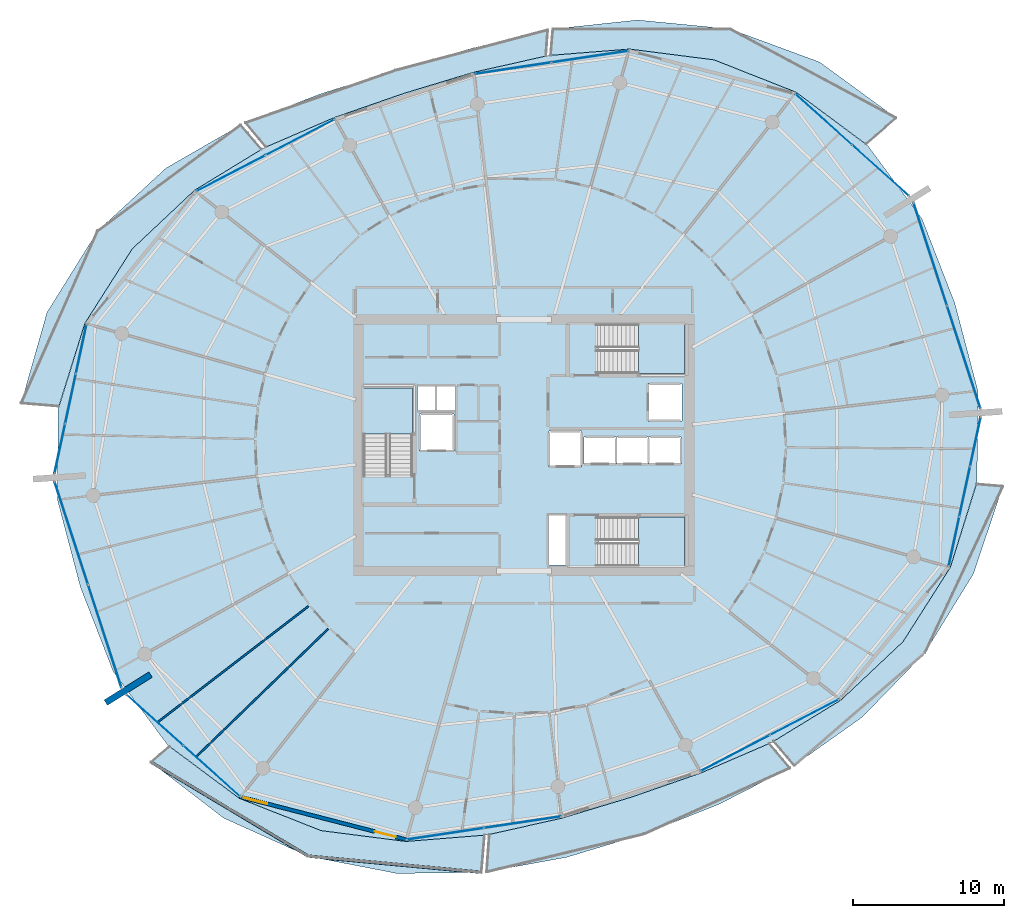
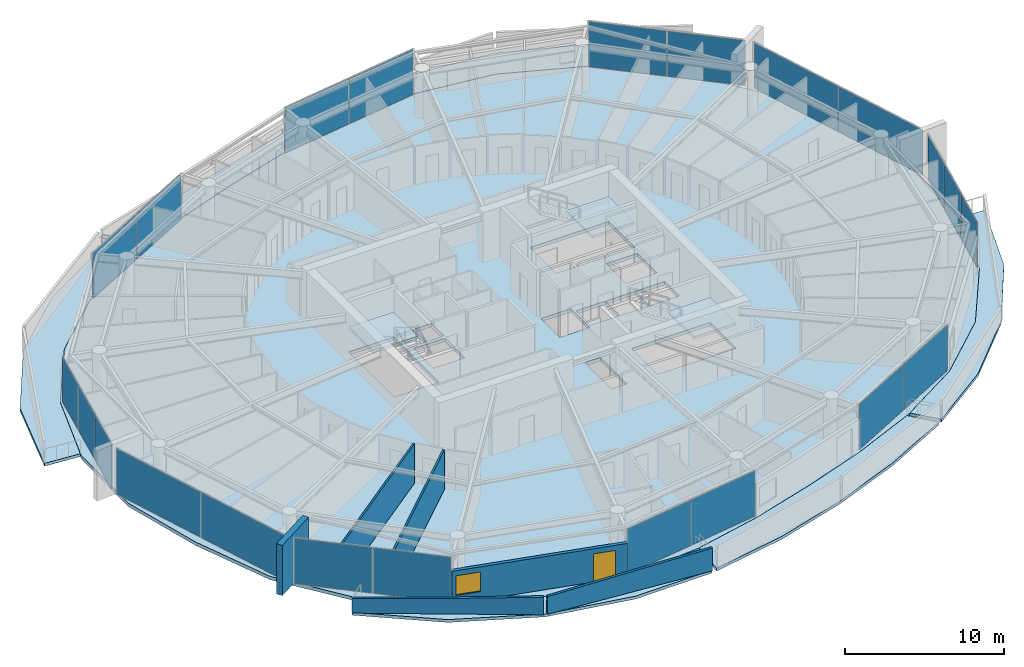
# One storey, part 17 of 30: 22 plates, 10 slabs, 6 walls, 1 door, 1 window, 2 openings, 13 elements without a shape of their own.
"""IFC4 building model written with IfcOpenShell, lengths in metres."""

from ifc_helpers import new_model, si_unit, direction, frame, frame_2d, origin, origin_2d, place, context, subcontext, project, spatial, polyline, rectangle, outline, extrude, material, layer, layer_set, type_object, element, fill, aggregate, save


model = new_model("IFC4")

# Units and contexts
model_context = context("Model", 3, precision=1e-05, world=origin(), true_north=direction((0.0, 1.0)))
body_context = subcontext(model_context, "Body", "Model", "MODEL_VIEW")
ifc_project = project(units=[si_unit("LENGTHUNIT", "METRE"), si_unit("AREAUNIT", "SQUARE_METRE"), si_unit("VOLUMEUNIT", "CUBIC_METRE"), si_unit("PLANEANGLEUNIT", "RADIAN"), si_unit("MASSUNIT", "GRAM", prefix="KILO")], contexts=[model_context])

# Site, building, storey
site_placement = place(None, origin())
site = spatial("IfcSite", under=ifc_project, at=site_placement, CompositionType="ELEMENT")
building_placement = place(site_placement, origin())
building = spatial("IfcBuilding", under=site, at=building_placement, Name="Kazma Halo Residences", CompositionType="ELEMENT")
storey_placement = place(building_placement, frame((0.0, 0.0, 263.64990234375)))
storey = spatial("IfcBuildingStorey", under=building, at=storey_placement, Name="L66", CompositionType="ELEMENT", Elevation=263.64990234375)

# Curtain wall, plates
ifc_material_1 = material(Name="Aluminium AW-6063 T6 and Triple-Silver Low-E Glass", Category="aluminium")
ifc_layer_1 = layer(ifc_material_1, 0.139892578125)
ifc_layer_set_1 = layer_set([ifc_layer_1], Name="Aluminium AW-6063 T6 and Triple-Silver Low-E Glass")
curtain_wall_type = type_object("IfcCurtainWallType", Name="CW-SYS-5", PredefinedType="NOTDEFINED", material=ifc_layer_set_1)
curtain_wall_1_placement = place(storey_placement, origin())
curtain_wall_1 = element("IfcCurtainWall", 1, at=curtain_wall_1_placement, inside=storey, type_object=curtain_wall_type, Name="L66 unitised curtain wall B01", PredefinedType="NOTDEFINED")
ifc_material_2 = material(Name="Clear Triple-Silver Low-E Glass IGU", Category="glass")
ifc_layer_2 = layer(ifc_material_2, 0.02587890625)
ifc_layer_set_2 = layer_set([ifc_layer_2], Name="Clear Triple-Silver Low-E Glass IGU")
plate_type = type_object("IfcPlateType", Name="CW-SYS-5-PNL", PredefinedType="CURTAIN_PANEL", material=ifc_layer_set_2)
plate_1_placement = place(storey_placement, frame((72.002685546875, 60.179443359375, 0.06005859375), z_axis=(0.0, 0.0, 1.0), x_axis=(-0.744336424671, 0.667804826958, 0.0)))
plate_1 = element("IfcPlate", 2, at=plate_1_placement, type_object=plate_type, Name="CWS-5 panel 1.1", PredefinedType="CURTAIN_PANEL", context=body_context, shape_type="SweptSolid", body=[
    extrude(rectangle(XDim=4.993408203125, YDim=0.02587890625, at=origin_2d()), origin(), (0.0, 0.0, 1.0), 3.469970703125),
])
plate_2_placement = place(storey_placement, frame((68.2412109375, 63.55419921875, 0.06005859375), z_axis=(0.0, 0.0, 1.0), x_axis=(-0.744336424671, 0.667804826958, 0.0)))
plate_2 = element("IfcPlate", 3, at=plate_2_placement, type_object=plate_type, Name="CWS-5 panel 2.1", PredefinedType="CURTAIN_PANEL", context=body_context, shape_type="SweptSolid", body=[
    extrude(rectangle(XDim=4.993408203125, YDim=0.02587890625, at=origin_2d()), origin(), (0.0, 0.0, 1.0), 3.469970703125),
])
aggregate(curtain_wall_1, [plate_1, plate_2])

curtain_wall_2_placement = place(storey_placement, origin())
curtain_wall_2 = element("IfcCurtainWall", 4, at=curtain_wall_2_placement, inside=storey, type_object=curtain_wall_type, Name="L66 unitised curtain wall B03", PredefinedType="NOTDEFINED")
plate_3_placement = place(storey_placement, frame((52.77783203125, 67.70361328125, 0.06005859375), z_axis=(0.0, 0.0, 1.0), x_axis=(-0.988882792998, -0.148697080374, 0.0)))
plate_3 = element("IfcPlate", 5, at=plate_3_placement, type_object=plate_type, Name="CWS-5 panel 1.1", PredefinedType="CURTAIN_PANEL", context=body_context, shape_type="SweptSolid", body=[
    extrude(rectangle(XDim=5.099853515625, YDim=0.02587890625, at=origin_2d()), origin(), (0.0, 0.0, 1.0), 3.469970703125),
])
plate_4_placement = place(storey_placement, frame((47.67529296875, 66.936279296875, 0.06005859375), z_axis=(0.0, 0.0, 1.0), x_axis=(-0.988882792998, -0.148697080374, 0.0)))
plate_4 = element("IfcPlate", 6, at=plate_4_placement, type_object=plate_type, Name="CWS-5 panel 2.1", PredefinedType="CURTAIN_PANEL", context=body_context, shape_type="SweptSolid", body=[
    extrude(rectangle(XDim=5.099853515625, YDim=0.02587890625, at=origin_2d()), origin(), (0.0, 0.0, 1.0), 3.469970703125),
])
aggregate(curtain_wall_2, [plate_3, plate_4])

curtain_wall_3_placement = place(storey_placement, origin())
curtain_wall_3 = element("IfcCurtainWall", 7, at=curtain_wall_3_placement, inside=storey, type_object=curtain_wall_type, Name="L66 unitised curtain wall B05", PredefinedType="NOTDEFINED")
plate_5_placement = place(storey_placement, frame((33.60546875, 62.36474609375, 0.06005859375), z_axis=(0.0, 0.0, 1.0), x_axis=(-0.887420518694, -0.460960760804, 0.0)))
plate_5 = element("IfcPlate", 8, at=plate_5_placement, type_object=plate_type, Name="CWS-5 panel 1.1", PredefinedType="CURTAIN_PANEL", context=body_context, shape_type="SweptSolid", body=[
    extrude(rectangle(XDim=5.099609375, YDim=0.02587890625, at=origin_2d()), origin(), (0.0, 0.0, 1.0), 3.469970703125),
])
plate_6_placement = place(storey_placement, frame((29.026611328125, 59.986328125, 0.06005859375), z_axis=(0.0, 0.0, 1.0), x_axis=(-0.887420518694, -0.460960760804, 0.0)))
plate_6 = element("IfcPlate", 9, at=plate_6_placement, type_object=plate_type, Name="CWS-5 panel 2.1", PredefinedType="CURTAIN_PANEL", context=body_context, shape_type="SweptSolid", body=[
    extrude(rectangle(XDim=5.099609375, YDim=0.02587890625, at=origin_2d()), origin(), (0.0, 0.0, 1.0), 3.469970703125),
])
aggregate(curtain_wall_3, [plate_5, plate_6])

curtain_wall_4_placement = place(storey_placement, origin())
curtain_wall_4 = element("IfcCurtainWall", 10, at=curtain_wall_4_placement, inside=storey, type_object=curtain_wall_type, Name="L66 unitised curtain wall B07", PredefinedType="NOTDEFINED")
plate_7_placement = place(storey_placement, frame((19.133056640625, 48.36865234375, 0.06005859375), z_axis=(0.0, 0.0, 1.0), x_axis=(-0.209657382603, -0.97777491373, 0.0)))
plate_7 = element("IfcPlate", 11, at=plate_7_placement, type_object=plate_type, Name="CWS-5 panel 1.1", PredefinedType="CURTAIN_PANEL", context=body_context, shape_type="SweptSolid", body=[
    extrude(rectangle(XDim=3.299072265625, YDim=0.02587890625, at=origin_2d()), origin(), (0.0, 0.0, 1.0), 3.469970703125),
])
plate_8_placement = place(storey_placement, frame((18.42578125, 45.069580078125, 0.06005859375), z_axis=(0.0, 0.0, 1.0), x_axis=(-0.209657382603, -0.97777491373, 0.0)))
plate_8 = element("IfcPlate", 12, at=plate_8_placement, type_object=plate_type, Name="CWS-5 panel 2.1", PredefinedType="CURTAIN_PANEL", context=body_context, shape_type="SweptSolid", body=[
    extrude(rectangle(XDim=3.3291015625, YDim=0.02587890625, at=origin_2d()), origin(), (0.0, 0.0, 1.0), 3.469970703125),
])
plate_9_placement = place(storey_placement, frame((17.71826171875, 41.7705078125, 0.06005859375), z_axis=(0.0, 0.0, 1.0), x_axis=(-0.209657382603, -0.97777491373, 0.0)))
plate_9 = element("IfcPlate", 13, at=plate_9_placement, type_object=plate_type, Name="CWS-5 panel 3.1", PredefinedType="CURTAIN_PANEL", context=body_context, shape_type="SweptSolid", body=[
    extrude(rectangle(XDim=3.299072265625, YDim=0.02587890625, at=origin_2d()), origin(), (0.0, 0.0, 1.0), 3.469970703125),
])
aggregate(curtain_wall_4, [plate_7, plate_8, plate_9])

curtain_wall_5_placement = place(storey_placement, origin())
curtain_wall_5 = element("IfcCurtainWall", 14, at=curtain_wall_5_placement, inside=storey, type_object=curtain_wall_type, Name="L66 unitised curtain wall B08", PredefinedType="NOTDEFINED")
plate_10_placement = place(storey_placement, frame((18.48486328125, 36.1787109375, 0.06005859375), z_axis=(0.0, 0.0, 1.0), x_axis=(0.309010998786, -0.951058464359, 0.0)))
plate_10 = element("IfcPlate", 15, at=plate_10_placement, type_object=plate_type, Name="CWS-5 panel 1.1", PredefinedType="CURTAIN_PANEL", context=body_context, shape_type="SweptSolid", body=[
    extrude(rectangle(XDim=7.108642578125, YDim=0.02587890625, at=origin_2d()), origin(), (0.0, 0.0, 1.0), 3.469970703125),
])
plate_11_placement = place(storey_placement, frame((20.699951171875, 29.36083984375, 0.06005859375), z_axis=(0.0, 0.0, 1.0), x_axis=(0.309010998786, -0.951058464359, 0.0)))
plate_11 = element("IfcPlate", 16, at=plate_11_placement, type_object=plate_type, Name="CWS-5 panel 2.1", PredefinedType="CURTAIN_PANEL", context=body_context, shape_type="SweptSolid", body=[
    extrude(rectangle(XDim=7.108642578125, YDim=0.02587890625, at=origin_2d()), origin(), (0.0, 0.0, 1.0), 3.469970703125),
])
aggregate(curtain_wall_5, [plate_10, plate_11])

curtain_wall_6_placement = place(storey_placement, origin())
curtain_wall_6 = element("IfcCurtainWall", 17, at=curtain_wall_6_placement, inside=storey, type_object=curtain_wall_type, Name="L66 unitised curtain wall B09", PredefinedType="NOTDEFINED")
plate_12_placement = place(storey_placement, frame((23.997314453125, 23.820556640625, 0.06005859375), z_axis=(0.0, 0.0, 1.0), x_axis=(0.744336424671, -0.667804826958, 0.0)))
plate_12 = element("IfcPlate", 18, at=plate_12_placement, type_object=plate_type, Name="CWS-5 panel 1.1", PredefinedType="CURTAIN_PANEL", context=body_context, shape_type="SweptSolid", body=[
    extrude(rectangle(XDim=4.993408203125, YDim=0.02587890625, at=origin_2d()), origin(), (0.0, 0.0, 1.0), 3.469970703125),
])
plate_13_placement = place(storey_placement, frame((27.7587890625, 20.44580078125, 0.06005859375), z_axis=(0.0, 0.0, 1.0), x_axis=(0.744336424671, -0.667804826958, 0.0)))
plate_13 = element("IfcPlate", 19, at=plate_13_placement, type_object=plate_type, Name="CWS-5 panel 2.1", PredefinedType="CURTAIN_PANEL", context=body_context, shape_type="SweptSolid", body=[
    extrude(rectangle(XDim=4.993408203125, YDim=0.02587890625, at=origin_2d()), origin(), (0.0, 0.0, 1.0), 3.469970703125),
])
aggregate(curtain_wall_6, [plate_12, plate_13])

curtain_wall_7_placement = place(storey_placement, origin())
curtain_wall_7 = element("IfcCurtainWall", 20, at=curtain_wall_7_placement, inside=storey, type_object=curtain_wall_type, Name="L66 unitised curtain wall B11", PredefinedType="NOTDEFINED")
plate_14_placement = place(storey_placement, frame((43.22216796875, 16.29638671875, 0.06005859375), z_axis=(0.0, 0.0, 1.0), x_axis=(0.988882792998, 0.148697080374, 0.0)))
plate_14 = element("IfcPlate", 21, at=plate_14_placement, type_object=plate_type, Name="CWS-5 panel 1.1", PredefinedType="CURTAIN_PANEL", context=body_context, shape_type="SweptSolid", body=[
    extrude(rectangle(XDim=5.099853515625, YDim=0.02587890625, at=origin_2d()), origin(), (0.0, 0.0, 1.0), 3.469970703125),
])
plate_15_placement = place(storey_placement, frame((48.32470703125, 17.063720703125, 0.06005859375), z_axis=(0.0, 0.0, 1.0), x_axis=(0.988882792998, 0.148697080374, 0.0)))
plate_15 = element("IfcPlate", 22, at=plate_15_placement, type_object=plate_type, Name="CWS-5 panel 2.1", PredefinedType="CURTAIN_PANEL", context=body_context, shape_type="SweptSolid", body=[
    extrude(rectangle(XDim=5.099853515625, YDim=0.02587890625, at=origin_2d()), origin(), (0.0, 0.0, 1.0), 3.469970703125),
])
aggregate(curtain_wall_7, [plate_14, plate_15])

curtain_wall_8_placement = place(storey_placement, origin())
curtain_wall_8 = element("IfcCurtainWall", 23, at=curtain_wall_8_placement, inside=storey, type_object=curtain_wall_type, Name="L66 unitised curtain wall B13", PredefinedType="NOTDEFINED")
plate_16_placement = place(storey_placement, frame((62.39453125, 21.63525390625, 0.06005859375), z_axis=(0.0, 0.0, 1.0), x_axis=(0.887420518694, 0.460960760804, 0.0)))
plate_16 = element("IfcPlate", 24, at=plate_16_placement, type_object=plate_type, Name="CWS-5 panel 1.1", PredefinedType="CURTAIN_PANEL", context=body_context, shape_type="SweptSolid", body=[
    extrude(rectangle(XDim=5.099609375, YDim=0.02587890625, at=origin_2d()), origin(), (0.0, 0.0, 1.0), 3.469970703125),
])
plate_17_placement = place(storey_placement, frame((66.973388671875, 24.013671875, 0.06005859375), z_axis=(0.0, 0.0, 1.0), x_axis=(0.887420518694, 0.460960760804, 0.0)))
plate_17 = element("IfcPlate", 25, at=plate_17_placement, type_object=plate_type, Name="CWS-5 panel 2.1", PredefinedType="CURTAIN_PANEL", context=body_context, shape_type="SweptSolid", body=[
    extrude(rectangle(XDim=5.099609375, YDim=0.02587890625, at=origin_2d()), origin(), (0.0, 0.0, 1.0), 3.469970703125),
])
aggregate(curtain_wall_8, [plate_16, plate_17])

curtain_wall_9_placement = place(storey_placement, origin())
curtain_wall_9 = element("IfcCurtainWall", 26, at=curtain_wall_9_placement, inside=storey, type_object=curtain_wall_type, Name="L66 unitised curtain wall B15", PredefinedType="NOTDEFINED")
plate_18_placement = place(storey_placement, frame((76.866943359375, 35.63134765625, 0.06005859375), z_axis=(0.0, 0.0, 1.0), x_axis=(0.209657382603, 0.97777491373, 0.0)))
plate_18 = element("IfcPlate", 27, at=plate_18_placement, type_object=plate_type, Name="CWS-5 panel 1.1", PredefinedType="CURTAIN_PANEL", context=body_context, shape_type="SweptSolid", body=[
    extrude(rectangle(XDim=3.299072265625, YDim=0.02587890625, at=origin_2d()), origin(), (0.0, 0.0, 1.0), 3.469970703125),
])
plate_19_placement = place(storey_placement, frame((77.57421875, 38.930419921875, 0.06005859375), z_axis=(0.0, 0.0, 1.0), x_axis=(0.209657382603, 0.97777491373, 0.0)))
plate_19 = element("IfcPlate", 28, at=plate_19_placement, type_object=plate_type, Name="CWS-5 panel 2.1", PredefinedType="CURTAIN_PANEL", context=body_context, shape_type="SweptSolid", body=[
    extrude(rectangle(XDim=3.3291015625, YDim=0.02587890625, at=origin_2d()), origin(), (0.0, 0.0, 1.0), 3.469970703125),
])
plate_20_placement = place(storey_placement, frame((78.28173828125, 42.2294921875, 0.06005859375), z_axis=(0.0, 0.0, 1.0), x_axis=(0.209657382603, 0.97777491373, 0.0)))
plate_20 = element("IfcPlate", 29, at=plate_20_placement, type_object=plate_type, Name="CWS-5 panel 3.1", PredefinedType="CURTAIN_PANEL", context=body_context, shape_type="SweptSolid", body=[
    extrude(rectangle(XDim=3.299072265625, YDim=0.02587890625, at=origin_2d()), origin(), (0.0, 0.0, 1.0), 3.469970703125),
])
aggregate(curtain_wall_9, [plate_18, plate_19, plate_20])

curtain_wall_10_placement = place(storey_placement, origin())
curtain_wall_10 = element("IfcCurtainWall", 30, at=curtain_wall_10_placement, inside=storey, type_object=curtain_wall_type, Name="L66 unitised curtain wall B16", PredefinedType="NOTDEFINED")
plate_21_placement = place(storey_placement, frame((77.51513671875, 47.8212890625, 0.06005859375), z_axis=(0.0, 0.0, 1.0), x_axis=(-0.309010998786, 0.951058464359, 0.0)))
plate_21 = element("IfcPlate", 31, at=plate_21_placement, type_object=plate_type, Name="CWS-5 panel 1.1", PredefinedType="CURTAIN_PANEL", context=body_context, shape_type="SweptSolid", body=[
    extrude(rectangle(XDim=7.108642578125, YDim=0.02587890625, at=origin_2d()), origin(), (0.0, 0.0, 1.0), 3.469970703125),
])
plate_22_placement = place(storey_placement, frame((75.300048828125, 54.63916015625, 0.06005859375), z_axis=(0.0, 0.0, 1.0), x_axis=(-0.309010998786, 0.951058464359, 0.0)))
plate_22 = element("IfcPlate", 32, at=plate_22_placement, type_object=plate_type, Name="CWS-5 panel 2.1", PredefinedType="CURTAIN_PANEL", context=body_context, shape_type="SweptSolid", body=[
    extrude(rectangle(XDim=7.108642578125, YDim=0.02587890625, at=origin_2d()), origin(), (0.0, 0.0, 1.0), 3.469970703125),
])
aggregate(curtain_wall_10, [plate_21, plate_22])

# Slabs
ifc_material_3 = material(Name="White Concrete C50/60", Category="concrete")
ifc_layer_3 = layer(ifc_material_3, 0.219970703125)
ifc_layer_set_3 = layer_set([ifc_layer_3], Name="White Concrete C50/60")
slab_type_1 = type_object("IfcSlabType", Name="SLB-BAL-WAVE-210", PredefinedType="FLOOR", material=ifc_layer_set_3)
slab_1_placement = place(storey_placement, frame((0.0, 0.0, -0.219970703125)))
element("IfcSlab", 33, at=slab_1_placement, inside=storey, type_object=slab_type_1, Name="L66 NE cantilevered wave balcony slab", PredefinedType="FLOOR", context=body_context, shape_type="SweptSolid", body=[
    extrude(outline(polyline([(71.0400390625, 61.9228515625), (66.41357421875, 65.357421875), (60.990478515625, 67.49560546875), (55.3916015625, 68.208984375), (50.188720703125, 67.794189453125), (50.336669921875, 69.537353515625), (55.93359375, 70.130615234375), (62.033447265625, 69.5419921875), (67.97998046875, 67.344482421875), (73.03759765625, 63.650146484375), (71.0400390625, 61.9228515625)])), origin(), (0.0, 0.0, 1.0), 0.219970703125),
])
slab_2_placement = place(storey_placement, frame((0.0, 0.0, -0.219970703125)))
element("IfcSlab", 34, at=slab_2_placement, inside=storey, type_object=slab_type_1, Name="L66 NNW cantilevered wave balcony slab", PredefinedType="FLOOR", context=body_context, shape_type="SweptSolid", body=[
    extrude(outline(polyline([(49.8681640625, 67.74609375), (45.080078125, 66.66943359375), (40.43994140625, 65.267333984375), (35.86181640625, 63.67431640625), (31.35546875, 61.731201171875), (30.004150390625, 63.3330078125), (34.977783203125, 65.252685546875), (39.940185546875, 66.805908203125), (44.8935546875, 68.24658203125), (49.993408203125, 69.47265625), (49.8681640625, 67.74609375)])), origin(), (0.0, 0.0, 1.0), 0.219970703125),
])
slab_3_placement = place(storey_placement, frame((0.0, 0.0, -0.219970703125)))
element("IfcSlab", 35, at=slab_3_placement, inside=storey, type_object=slab_type_1, Name="L66 NW cantilevered wave balcony slab", PredefinedType="FLOOR", context=body_context, shape_type="SweptSolid", body=[
    extrude(outline(polyline([(31.06787109375, 61.58154296875), (26.614501953125, 58.85888671875), (22.50439453125, 54.990478515625), (19.3740234375, 50.0732421875), (17.64990234375, 44.5751953125), (15.16357421875, 44.7861328125), (16.864013671875, 50.78125), (20.20703125, 56.1611328125), (24.740234375, 60.336669921875), (29.681396484375, 63.184814453125), (31.06787109375, 61.58154296875)])), origin(), (0.0, 0.0, 1.0), 0.219970703125),
])
slab_4_placement = place(storey_placement, frame((0.0, 0.0, -0.219970703125)))
element("IfcSlab", 36, at=slab_4_placement, inside=storey, type_object=slab_type_1, Name="L66 SW cantilevered wave balcony slab", PredefinedType="FLOOR", context=body_context, shape_type="SweptSolid", body=[
    extrude(outline(polyline([(24.9599609375, 22.0771484375), (29.58642578125, 18.642578125), (35.009521484375, 16.50439453125), (40.6083984375, 15.791015625), (45.811279296875, 16.205810546875), (45.602294921875, 13.743408203125), (40.01123046875, 13.674072265625), (34.147216796875, 14.8125), (28.555419921875, 17.33447265625), (23.748779296875, 21.030029296875), (24.9599609375, 22.0771484375)])), origin(), (0.0, 0.0, 1.0), 0.219970703125),
])
slab_5_placement = place(storey_placement, frame((0.0, 0.0, -0.219970703125)))
element("IfcSlab", 37, at=slab_5_placement, inside=storey, type_object=slab_type_1, Name="L66 SSE cantilevered wave balcony slab", PredefinedType="FLOOR", context=body_context, shape_type="SweptSolid", body=[
    extrude(outline(polyline([(46.1318359375, 16.25390625), (50.919921875, 17.33056640625), (55.56005859375, 18.732666015625), (60.13818359375, 20.32568359375), (64.64453125, 22.268798828125), (66.00830078125, 20.65234375), (61.304443359375, 18.2431640625), (56.356689453125, 16.280517578125), (51.226318359375, 14.740478515625), (45.952392578125, 13.780517578125), (46.1318359375, 16.25390625)])), origin(), (0.0, 0.0, 1.0), 0.219970703125),
])
slab_6_placement = place(storey_placement, frame((0.0, 0.0, -0.219970703125)))
element("IfcSlab", 38, at=slab_6_placement, inside=storey, type_object=slab_type_1, Name="L66 SE cantilevered wave balcony slab", PredefinedType="FLOOR", context=body_context, shape_type="SweptSolid", body=[
    extrude(outline(polyline([(64.93212890625, 22.41845703125), (69.385498046875, 25.14111328125), (73.49560546875, 29.009521484375), (76.6259765625, 33.9267578125), (78.35009765625, 39.4248046875), (80.09033203125, 39.277099609375), (78.154296875, 33.49560546875), (74.936767578125, 28.27490234375), (70.80615234375, 24.021240234375), (66.30615234375, 20.82958984375), (64.93212890625, 22.41845703125)])), origin(), (0.0, 0.0, 1.0), 0.219970703125),
])
ifc_material_4 = material(Name="Concrete C50/60", Category="concrete")
ifc_layer_4 = layer(ifc_material_4, 0.260009765625)
ifc_layer_set_4 = layer_set([ifc_layer_4], Name="Concrete C50/60")
slab_type_2 = type_object("IfcSlabType", Name="SLB-RES-260", PredefinedType="FLOOR", material=ifc_layer_set_4)
slab_7_placement = place(storey_placement, frame((0.0, 0.0, -0.260009765625)))
element("IfcSlab", 39, at=slab_7_placement, inside=storey, type_object=slab_type_2, Name="L66 structural floor slab", PredefinedType="FLOOR", context=body_context, shape_type="SweptSolid", body=[
    extrude(outline(polyline([(76.9189453125, 51.396240234375), (74.749755859375, 56.980712890625), (71.180419921875, 61.7978515625), (66.412109375, 65.355712890625), (60.98974609375, 67.49365234375), (55.39111328125, 68.207275390625), (50.02880859375, 67.7783203125), (45.080322265625, 66.66748046875), (40.440673828125, 65.265380859375), (35.86279296875, 63.672607421875), (31.20654296875, 61.66259765625), (26.6162109375, 58.857666015625), (22.50634765625, 54.98974609375), (19.3759765625, 50.07275390625), (17.60986328125, 44.391845703125), (17.5537109375, 38.396484375), (19.0810546875, 32.603759765625), (21.250244140625, 27.019287109375), (24.819580078125, 22.2021484375), (29.587890625, 18.644287109375), (35.01025390625, 16.50634765625), (40.60888671875, 15.792724609375), (45.97119140625, 16.2216796875), (50.919677734375, 17.33251953125), (55.559326171875, 18.734619140625), (60.13720703125, 20.327392578125), (64.79345703125, 22.33740234375), (69.3837890625, 25.142333984375), (73.49365234375, 29.01025390625), (76.6240234375, 33.92724609375), (78.39013671875, 39.608154296875), (78.4462890625, 45.603515625), (76.9189453125, 51.396240234375)]), holes=[polyline([(37.800048828125, 40.110107421875), (41.050048828125, 40.110107421875), (41.050048828125, 45.800048828125), (37.800048828125, 45.800048828125), (37.800048828125, 40.110107421875)]), polyline([(53.360107421875, 46.75), (59.050048828125, 46.75), (59.050048828125, 50.0), (53.360107421875, 50.0), (53.360107421875, 46.75)]), polyline([(53.360107421875, 34.0), (59.050048828125, 34.0), (59.050048828125, 37.25), (53.360107421875, 37.25), (53.360107421875, 34.0)]), polyline([(41.52001953125, 41.6201171875), (43.780029296875, 41.6201171875), (43.780029296875, 44.080078125), (41.52001953125, 44.080078125), (41.52001953125, 41.6201171875)]), polyline([(56.6201171875, 43.6201171875), (58.8798828125, 43.6201171875), (58.8798828125, 46.080078125), (56.6201171875, 46.080078125), (56.6201171875, 43.6201171875)]), polyline([(52.39501953125, 40.7451171875), (54.5048828125, 40.7451171875), (54.5048828125, 42.554931640625), (52.39501953125, 42.554931640625), (52.39501953125, 40.7451171875)]), polyline([(54.544921875, 40.7451171875), (56.655029296875, 40.7451171875), (56.655029296875, 42.554931640625), (54.544921875, 42.554931640625), (54.544921875, 40.7451171875)]), polyline([(56.695068359375, 40.7451171875), (58.804931640625, 40.7451171875), (58.804931640625, 42.554931640625), (56.695068359375, 42.554931640625), (56.695068359375, 40.7451171875)]), polyline([(50.070068359375, 40.570068359375), (52.22998046875, 40.570068359375), (52.22998046875, 42.929931640625), (50.070068359375, 42.929931640625), (50.070068359375, 40.570068359375)]), polyline([(41.360107421875, 44.340087890625), (42.5400390625, 44.340087890625), (42.5400390625, 45.89990234375), (41.360107421875, 45.89990234375), (41.360107421875, 44.340087890625)]), polyline([(42.659912109375, 44.340087890625), (43.840087890625, 44.340087890625), (43.840087890625, 45.89990234375), (42.659912109375, 45.89990234375), (42.659912109375, 44.340087890625)]), polyline([(50.06005859375, 34.080078125), (51.159912109375, 34.080078125), (51.159912109375, 37.3798828125), (50.06005859375, 37.3798828125), (50.06005859375, 34.080078125)])]), origin(), (0.0, 0.0, 1.0), 0.260009765625),
])

# Stair, slab
stair_type = type_object("IfcStairType", Name="STR-RES2", PredefinedType="HALF_TURN_STAIR", material=ifc_material_4)
stair_1_placement = place(storey_placement, origin())
stair_1 = element("IfcStair", 40, at=stair_1_placement, inside=storey, type_object=stair_type, Name="L66 Core exit stair ST-01", PredefinedType="HALF_TURN_STAIR")
ifc_layer_5 = layer(ifc_material_4, 0.199951171875)
ifc_layer_set_5 = layer_set([ifc_layer_5], Name="Concrete C50/60")
slab_type_3 = type_object("IfcSlabType", Name="SLB-STAIR-LND-200", PredefinedType="LANDING", material=ifc_layer_set_5)
slab_8_placement = place(storey_placement, frame((0.0, 0.0, 1.72509765625)))
slab_8 = element("IfcSlab", 41, at=slab_8_placement, type_object=slab_type_3, Name="ST-01 landing 1", PredefinedType="LANDING", context=body_context, shape_type="SweptSolid", body=[
    extrude(outline(polyline([(41.050048828125, 42.75), (41.050048828125, 45.800048828125), (37.800048828125, 45.800048828125), (37.800048828125, 42.75), (41.050048828125, 42.75)])), origin(), (0.0, 0.0, 1.0), 0.199951171875),
])
aggregate(stair_1, [slab_8])

stair_2_placement = place(storey_placement, origin())
stair_2 = element("IfcStair", 42, at=stair_2_placement, inside=storey, type_object=stair_type, Name="L66 Core exit stair ST-02", PredefinedType="HALF_TURN_STAIR")
slab_9_placement = place(storey_placement, frame((0.0, 0.0, 1.72509765625)))
slab_9 = element("IfcSlab", 43, at=slab_9_placement, type_object=slab_type_3, Name="ST-02 landing 1", PredefinedType="LANDING", context=body_context, shape_type="SweptSolid", body=[
    extrude(outline(polyline([(56.0, 46.75), (59.050048828125, 46.75), (59.050048828125, 50.0), (56.0, 50.0), (56.0, 46.75)])), origin(), (0.0, 0.0, 1.0), 0.199951171875),
])
aggregate(stair_2, [slab_9])

stair_3_placement = place(storey_placement, origin())
stair_3 = element("IfcStair", 44, at=stair_3_placement, inside=storey, type_object=stair_type, Name="L66 Core exit stair ST-03", PredefinedType="HALF_TURN_STAIR")
slab_10_placement = place(storey_placement, frame((0.0, 0.0, 1.72509765625)))
slab_10 = element("IfcSlab", 45, at=slab_10_placement, type_object=slab_type_3, Name="ST-03 landing 1", PredefinedType="LANDING", context=body_context, shape_type="SweptSolid", body=[
    extrude(outline(polyline([(56.0, 34.0), (59.050048828125, 34.0), (59.050048828125, 37.25), (56.0, 37.25), (56.0, 34.0)])), origin(), (0.0, 0.0, 1.0), 0.199951171875),
])
aggregate(stair_3, [slab_10])

# Walls
ifc_material_5 = material(Name="White Concrete C50/60 Balustrade", Category="concrete")
ifc_layer_6 = layer(ifc_material_5, 0.179931640625)
ifc_layer_set_6 = layer_set([ifc_layer_6], Name="White Concrete C50/60 Balustrade")
wall_type_1 = type_object("IfcWallType", Name="WL-BAL-WAVE-180", PredefinedType="PARAPET", material=ifc_layer_set_6)
wall_1_placement = place(storey_placement, frame((23.748779296875, 21.030029296875, 0.0), z_axis=(0.0, 0.0, 1.0), x_axis=(0.858273121585, -0.513193188541, 0.0)))
element("IfcWall", 46, at=wall_1_placement, inside=storey, type_object=wall_type_1, Name="L66 white wave balustrade wall SW.1", PredefinedType="PARAPET", context=body_context, shape_type="SweptSolid", body=[
    extrude(outline(polyline([(0.0, 0.0), (11.99560546875, 0.0), (11.995361328125, 1.34814453125), (5.997802734375, 1.18212890625), (0.0, 1.1201171875), (0.0, 0.0)])), frame((0.0, 0.08984375, 0.0), z_axis=(0.0, -1.0, 0.0), x_axis=(1.0, 0.0, 0.0)), (0.0, 0.0, 1.0), 0.179931640625),
])
wall_2_placement = place(storey_placement, frame((34.266845703125, 14.80126953125, 0.0), z_axis=(0.0, 0.0, 1.0), x_axis=(0.995673621648, -0.092919530532, 0.0)))
element("IfcWall", 47, at=wall_2_placement, inside=storey, type_object=wall_type_1, Name="L66 white wave balustrade wall SW.2", PredefinedType="PARAPET", context=body_context, shape_type="SweptSolid", body=[
    extrude(outline(polyline([(0.0, 0.0), (11.384765625, 0.0), (11.384765625, 1.7470703125), (5.6923828125, 1.56201171875), (0.0, 1.34814453125), (0.0, 0.0)])), frame((0.0, 0.08984375, 0.0), z_axis=(0.0, -1.0, 0.0), x_axis=(1.0, 0.0, 0.0)), (0.0, 0.0, 1.0), 0.179931640625),
])
ifc_material_6 = material(Name="Pale Concrete C60/75", Category="concrete")
ifc_layer_7 = layer(ifc_material_6, 0.419921875)
ifc_layer_set_7 = layer_set([ifc_layer_7], Name="Pale Concrete C60/75")
wall_type_2 = type_object("IfcWallType", Name="WL-BLADE-420", PredefinedType="SOLIDWALL", material=ifc_layer_set_7)
wall_3_placement = place(storey_placement, frame((23.718505859375, 26.827392578125, 0.0), z_axis=(0.0, 0.0, 1.0), x_axis=(-0.848033572426, -0.529942506352, 0.0)))
element("IfcWall", 48, at=wall_3_placement, inside=storey, type_object=wall_type_2, Name="L66 pale concrete structural blade fin wall BW-03", PredefinedType="SOLIDWALL", context=body_context, shape_type="SweptSolid", body=[
    extrude(rectangle(XDim=3.5, YDim=0.419921875, at=frame_2d((1.75, 0.0))), origin(), (0.0, 0.0, 1.0), 3.85009765625),
])

# Wall, openings, door, window
ifc_material_7 = material(Name="Insulated Pale-Metal Composite Wall")
ifc_layer_8 = layer(ifc_material_7, 0.239990234375)
ifc_layer_set_8 = layer_set([ifc_layer_8], Name="Insulated Pale-Metal Composite Wall")
wall_type_3 = type_object("IfcWallType", Name="WL-EXT-HOST-240", PredefinedType="SOLIDWALL", material=ifc_layer_set_8)
wall_4_placement = place(storey_placement, frame((29.613525390625, 18.7509765625, 0.0), z_axis=(0.0, 0.0, 1.0), x_axis=(0.968343758421, -0.249620442927, 0.0)))
wall_4 = element("IfcWall", 49, at=wall_4_placement, inside=storey, type_object=wall_type_3, Name="L66 exterior terrace-access wall B10", PredefinedType="SOLIDWALL", context=body_context, shape_type="SweptSolid", body=[
    extrude(rectangle(XDim=11.438232421875, YDim=0.239990234375, at=frame_2d((5.71923828125, 0.0))), origin(), (0.0, 0.0, 1.0), 2.5400390625),
])
opening_1_placement = place(wall_4_placement, frame((9.21826171875, 0.0, 0.0)))
opening_1 = element("IfcOpeningElement", 50, at=opening_1_placement, cuts=wall_4, Name="Opening DTR-1600", PredefinedType="OPENING", context=body_context, shape_type="SweptSolid", body=[
    extrude(rectangle(XDim=1.449951171875, YDim=2.14990234375, at=frame_2d((0.72509765625, 1.074951171875))), frame((0.0, 0.1298828125, 0.0), z_axis=(0.0, -1.0, 0.0), x_axis=(1.0, 0.0, 0.0)), (0.0, 0.0, 1.0), 0.260009765625),
])
opening_2_placement = place(wall_4_placement, frame((0.280029296875, 0.0, 0.64990234375)))
opening_2 = element("IfcOpeningElement", 51, at=opening_2_placement, cuts=wall_4, Name="Opening W-1800", PredefinedType="OPENING", context=body_context, shape_type="SweptSolid", body=[
    extrude(rectangle(XDim=1.60009765625, YDim=1.5, at=frame_2d((0.800048828125, 0.75))), frame((0.0, 0.1298828125, 0.0), z_axis=(0.0, -1.0, 0.0), x_axis=(1.0, 0.0, 0.0)), (0.0, 0.0, 1.0), 0.260009765625),
])
ifc_material_8 = material(Name="Aluminium AW-6063 T6 Double-Glazed Terrace Door", Category="aluminium")
door_type = type_object("IfcDoorType", Name="DR-EXT-TERR-1600", OperationType="NOTDEFINED", PredefinedType="DOOR", material=ifc_material_8)
door_placement = place(opening_1_placement, origin())
door = element("IfcDoor", 52, at=door_placement, inside=storey, type_object=door_type, Name="L66 B10 balcony terrace door", OperationType="DOUBLE_DOOR_SLIDING", OverallHeight=2.14990234375, OverallWidth=1.449951171875, PredefinedType="DOOR", context=body_context, shape_type="SweptSolid", body=[
    extrude(rectangle(XDim=1.449951171875, YDim=2.14990234375, at=frame_2d((0.72509765625, 1.074951171875))), frame((0.0, 0.02490234375, 0.0), z_axis=(0.0, -1.0, 0.0), x_axis=(1.0, 0.0, 0.0)), (0.0, 0.0, 1.0), 0.050048828125),
])
fill(opening_1, door)
ifc_material_9 = material(Name="Clear Triple-Silver Low-E Glass in Aluminium AW-6063 T6 Frame", Category="aluminium")
window_type = type_object("IfcWindowType", Name="WIN-RES-1800", PartitioningType="DOUBLE_PANEL_VERTICAL", PredefinedType="WINDOW", material=ifc_material_9)
window_placement = place(opening_2_placement, origin())
window = element("IfcWindow", 53, at=window_placement, inside=storey, type_object=window_type, Name="L66 B10 apartment window", OverallHeight=1.5, OverallWidth=1.60009765625, PartitioningType="SINGLE_PANEL", PredefinedType="WINDOW", context=body_context, shape_type="SweptSolid", body=[
    extrude(rectangle(XDim=1.60009765625, YDim=1.5, at=frame_2d((0.800048828125, 0.75))), frame((0.0, 0.030029296875, 0.0), z_axis=(0.0, -1.0, 0.0), x_axis=(1.0, 0.0, 0.0)), (0.0, 0.0, 1.0), 0.06005859375),
])
fill(opening_2, window)

# Walls
ifc_material_10 = material(Name="Gypsum Plasterboard Partition")
ifc_layer_9 = layer(ifc_material_10, 0.125)
ifc_layer_set_9 = layer_set([ifc_layer_9], Name="Gypsum Plasterboard Partition")
wall_type_4 = type_object("IfcWallType", Name="WL-PART-125", PredefinedType="PARTITIONING", material=ifc_layer_set_9)
wall_5_placement = place(storey_placement, frame((34.166748046875, 31.3564453125, 0.0), z_axis=(0.0, 0.0, 1.0), x_axis=(-0.792566304603, -0.609785743362, 0.0)))
element("IfcWall", 54, at=wall_5_placement, inside=storey, type_object=wall_type_4, Name="L66 Apartment 1 bay wall 1 8", PredefinedType="PARTITIONING", context=body_context, shape_type="SweptSolid", body=[
    extrude(rectangle(XDim=12.587646484375, YDim=0.125, at=frame_2d((6.2939453125, 0.0))), origin(), (0.0, 0.0, 1.0), 3.030029296875),
])
wall_6_placement = place(storey_placement, frame((35.4658203125, 29.853515625, 0.0), z_axis=(0.0, 0.0, 1.0), x_axis=(-0.718127905621, -0.695911137408, 0.0)))
element("IfcWall", 55, at=wall_6_placement, inside=storey, type_object=wall_type_4, Name="L66 Apartment 1 bay wall 2 8", PredefinedType="PARTITIONING", context=body_context, shape_type="SweptSolid", body=[
    extrude(rectangle(XDim=12.15380859375, YDim=0.125, at=frame_2d((6.076904296875, 0.0))), origin(), (0.0, 0.0, 1.0), 3.030029296875),
])

save(model, "model.ifc")
